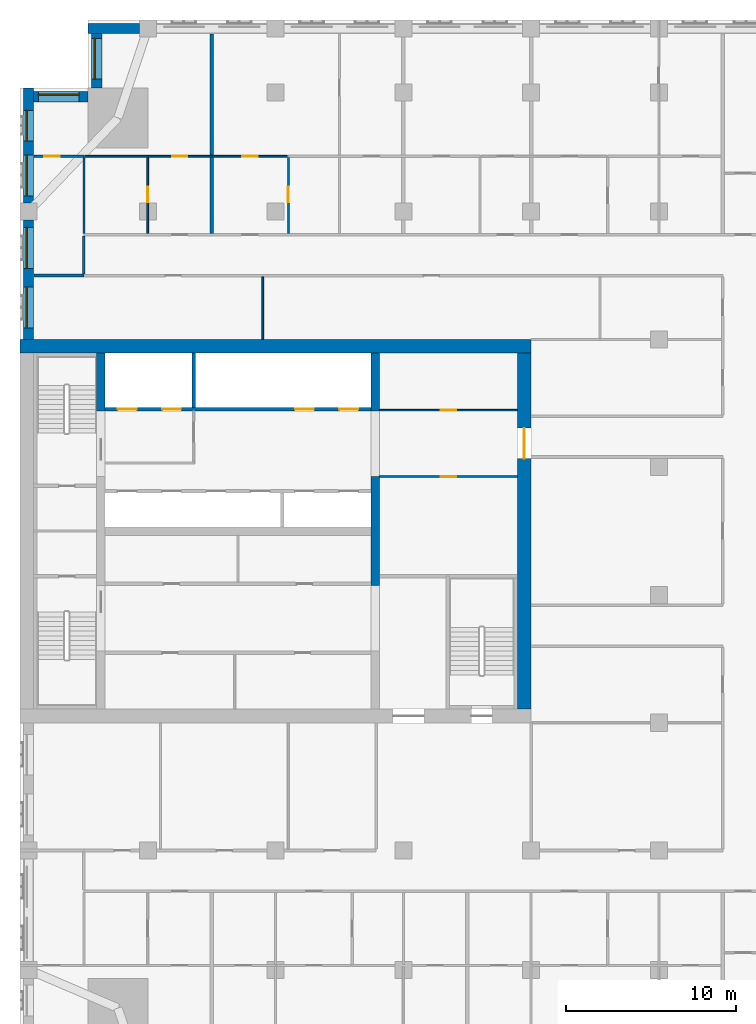
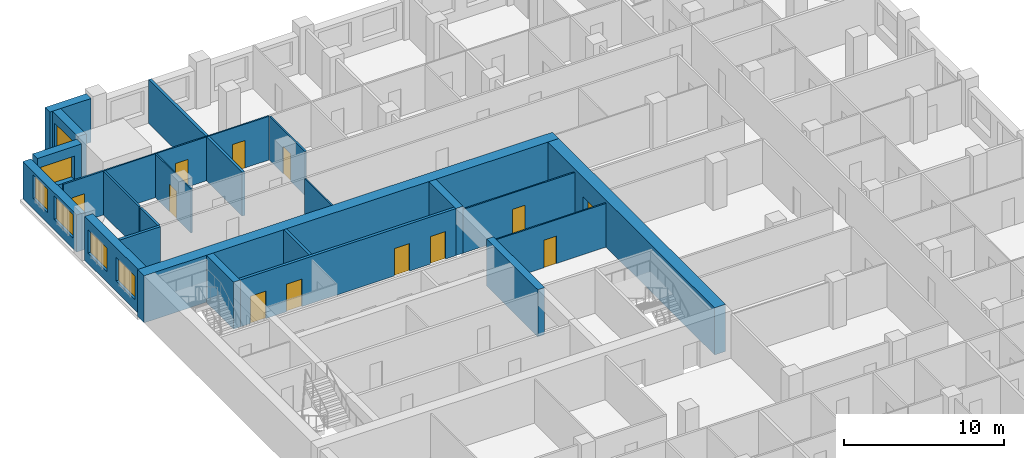
# One storey, part 8 of 13: 23 walls, 12 doors, 6 windows, 18 openings.
"""IFC4 building model written with IfcOpenShell, lengths in metres."""

import ifcopenshell
import ifcopenshell.guid

model = None  # the IFC model being written
_history = None  # IfcOwnerHistory: only IFC2X3 demands one
_inside = {}  # id of a spatial element -> (the spatial element, [elements in it])
_under = {}  # id of a project, library or spatial element -> (it, [spatial elements below it])
_declared = {}  # id of a project -> (the project, [libraries it declares])
_typed = {}  # id of a type object -> (the type object, [elements of that type])
_made_of = {}  # id of a material, layer set ... -> (it, [elements and type objects made of it])


def new_model(schema):
    """Start an empty IFC model of exactly this schema.

    Asked for "IFC4X3", IfcOpenShell would pick the latest addendum, in which some entities
    have other attributes; the version numbers below select the first issue.
    IFC2X3 requires an IfcOwnerHistory on every rooted entity: one is made here for all.
    """
    global model, _history
    if schema == "IFC4X3":
        model = ifcopenshell.file(schema_version=(4, 3, 0, 0))
    else:
        model = ifcopenshell.file(schema=schema)
    _inside.clear()
    _under.clear()
    _declared.clear()
    _typed.clear()
    _made_of.clear()
    _history = None
    if model.schema == "IFC2X3":
        org = make("IfcOrganization", Name="unknown")
        user = make(
            "IfcPersonAndOrganization",
            ThePerson=make("IfcPerson", FamilyName="unknown"),
            TheOrganization=org,
        )
        app = make(
            "IfcApplication",
            ApplicationDeveloper=org,
            Version="unknown",
            ApplicationFullName="unknown",
            ApplicationIdentifier="unknown",
        )
        _history = make(
            "IfcOwnerHistory",
            OwningUser=user,
            OwningApplication=app,
            ChangeAction="ADDED",
            CreationDate=0,
        )
    return model


def make(cls, **values):
    """One entity of the class cls with the attributes given. An attribute that is None is left unset."""
    return model.create_entity(
        cls, **{name: value for name, value in values.items() if value is not None}
    )


def rooted(cls, **values):
    """An entity with a GlobalId (a new one), such as an element, a storey or a relation."""
    return make(cls, GlobalId=ifcopenshell.guid.new(), OwnerHistory=_history, **values)


def si_unit(unit_type, name, prefix=None):
    """IfcSIUnit, for example si_unit("LENGTHUNIT", "METRE", prefix="MILLI")."""
    return make("IfcSIUnit", UnitType=unit_type, Prefix=prefix, Name=name)


def assignment(units):
    """IfcUnitAssignment: the units of a project."""
    return None if units is None else make("IfcUnitAssignment", Units=units)


def point(xyz):
    """IfcCartesianPoint."""
    return None if xyz is None else make("IfcCartesianPoint", Coordinates=xyz)


def direction(xyz):
    """IfcDirection."""
    return None if xyz is None else make("IfcDirection", DirectionRatios=xyz)


def frame(location, z_axis=None, x_axis=None):
    """IfcAxis2Placement3D, a coordinate frame: its origin and axes. An axis left out is left unset."""
    return make(
        "IfcAxis2Placement3D",
        Location=point(location),
        Axis=direction(z_axis),
        RefDirection=direction(x_axis),
    )


def frame_2d(location, x_axis=None):
    """IfcAxis2Placement2D, a coordinate frame in the plane: its origin and x axis."""
    return make(
        "IfcAxis2Placement2D", Location=point(location), RefDirection=direction(x_axis)
    )


def origin():
    """The frame at (0, 0, 0) with its axes left unset."""
    return frame((0.0, 0.0, 0.0))


def place(relative_to, where):
    """IfcLocalPlacement: puts the frame where relative to a parent placement (None: the world)."""
    return make(
        "IfcLocalPlacement", PlacementRelTo=relative_to, RelativePlacement=where
    )


def context(
    kind, dimensions, precision=None, world=None, true_north=None, identifier=None
):
    """IfcGeometricRepresentationContext, for example the 3D "Model" context."""
    return make(
        "IfcGeometricRepresentationContext",
        ContextIdentifier=identifier,
        ContextType=kind,
        CoordinateSpaceDimension=dimensions,
        Precision=precision,
        WorldCoordinateSystem=world,
        TrueNorth=true_north,
    )


def subcontext(parent, identifier, kind, view, scale=None):
    """IfcGeometricRepresentationSubContext, for example "Body" below "Model"."""
    return make(
        "IfcGeometricRepresentationSubContext",
        ContextIdentifier=identifier,
        ContextType=kind,
        ParentContext=parent,
        TargetScale=scale,
        TargetView=view,
    )


def project(units=None, contexts=None):
    """IfcProject with its units and contexts."""
    return rooted(
        "IfcProject",
        Name="project",
        RepresentationContexts=contexts,
        UnitsInContext=assignment(units),
    )


def spatial(cls, under=None, at=None, **own):
    """A site, building, storey or space (cls), placed at a placement, below another one or the project."""
    s = rooted(cls, ObjectPlacement=at, **own)
    if under is not None:
        _under.setdefault(under.id(), (under, []))[1].append(s)
    return s


def profile(cls, at=None, kind="AREA", **sizes):
    """A parametric profile (cls). Its sizes go by their IFC names, for example OverallWidth=200.0."""
    return make(cls, ProfileType=kind, Position=at, **sizes)


def rectangle(**sizes):
    """IfcRectangleProfileDef."""
    return profile("IfcRectangleProfileDef", **sizes)


def extrude(swept, where, along, depth):
    """IfcExtrudedAreaSolid: the profile swept, set in the frame where, extruded along a direction by depth."""
    return make(
        "IfcExtrudedAreaSolid",
        SweptArea=swept,
        Position=where,
        ExtrudedDirection=direction(along),
        Depth=depth,
    )


def shape(context_of_items, identifier, shape_type, items):
    """IfcShapeRepresentation: the items that make up one representation, for example the "Body"."""
    return make(
        "IfcShapeRepresentation",
        ContextOfItems=context_of_items,
        RepresentationIdentifier=identifier,
        RepresentationType=shape_type,
        Items=items,
    )


def material(Name=None, Category=None):
    """IfcMaterial."""
    return make("IfcMaterial", Name=Name, Category=Category)


def layer(
    of_material, thickness, ventilated=None, Name=None, Category=None, Priority=None
):
    """IfcMaterialLayer: one layer of a wall or slab, of a material (None: an air gap)."""
    return make(
        "IfcMaterialLayer",
        Material=of_material,
        LayerThickness=thickness,
        IsVentilated=ventilated,
        Name=Name,
        Category=Category,
        Priority=Priority,
    )


def layer_set(layers, Name=None):
    """IfcMaterialLayerSet."""
    return make("IfcMaterialLayerSet", MaterialLayers=layers, LayerSetName=Name)


def made_of(thing, what):
    """Note that an element or type object is made of a material, layer set ...; save() writes the relation."""
    if what is not None:
        _made_of.setdefault(what.id(), (what, []))[1].append(thing)
    return thing


def type_object(cls, material=None, **own):
    """A type object (cls), such as IfcWallType, which elements share."""
    return made_of(rooted(cls, **own), material)


def element(
    cls,
    number,
    at=None,
    inside=None,
    cuts=None,
    type_object=None,
    material=None,
    context=None,
    identifier="Body",
    shape_type=None,
    held_by="IfcProductDefinitionShape",
    body=None,
    shapes=None,
    **own,
):
    """One element of the class cls, such as IfcWall. Its Tag is "e" and its number.

    at: its placement. inside: the storey or other place that contains it. cuts: it is an
    opening in that element (IfcRelVoidsElement). A single representation is given by context,
    identifier, shape_type and body (its items); several are given by shapes. held_by: the class
    of the entity that holds the representations. save() writes the other relations.
    """
    e = rooted(cls, Tag="e%d" % number, ObjectPlacement=at, **own)
    if body is not None:
        shapes = [shape(context, identifier, shape_type, body)]
    if shapes is not None:
        e.Representation = make(held_by, Representations=shapes)
    if inside is not None:
        _inside.setdefault(inside.id(), (inside, []))[1].append(e)
    if cuts is not None:
        rooted(
            "IfcRelVoidsElement", RelatingBuildingElement=cuts, RelatedOpeningElement=e
        )
    if type_object is not None:
        _typed.setdefault(type_object.id(), (type_object, []))[1].append(e)
    return made_of(e, material)


def fill(opening, filler):
    """IfcRelFillsElement: the door or window that sits in an opening."""
    return rooted(
        "IfcRelFillsElement",
        RelatingOpeningElement=opening,
        RelatedBuildingElement=filler,
    )


def aggregate(whole, parts):
    """IfcRelAggregates: a whole, such as a stair, and the parts it consists of."""
    return rooted("IfcRelAggregates", RelatingObject=whole, RelatedObjects=parts)


def save(model, path):
    """Write the relations noted so far, then the file.

    IfcRelAggregates (storeys below a building ...), IfcRelContainedInSpatialStructure (elements
    in a storey), IfcRelDefinesByType, IfcRelAssociatesMaterial and IfcRelDeclares: one each for
    every whole, place, type object, material and project.
    """
    for whole, parts in _under.values():
        aggregate(whole, parts)
    for where, things in _inside.values():
        rooted(
            "IfcRelContainedInSpatialStructure",
            RelatedElements=things,
            RelatingStructure=where,
        )
    for kind, things in _typed.values():
        rooted("IfcRelDefinesByType", RelatedObjects=things, RelatingType=kind)
    for what, things in _made_of.values():
        rooted("IfcRelAssociatesMaterial", RelatedObjects=things, RelatingMaterial=what)
    for by, libraries in _declared.values():
        rooted("IfcRelDeclares", RelatingContext=by, RelatedDefinitions=libraries)
    model.write(path)


model = new_model("IFC4")

# Units and contexts
model_context = context("Model", 3, precision=1e-05, world=origin(), true_north=direction((0.0, 1.0)))
body_context = subcontext(model_context, "Body", "Model", "MODEL_VIEW")
ifc_project = project(units=[si_unit("LENGTHUNIT", "METRE"), si_unit("AREAUNIT", "SQUARE_METRE"), si_unit("VOLUMEUNIT", "CUBIC_METRE"), si_unit("PLANEANGLEUNIT", "RADIAN"), si_unit("MASSUNIT", "GRAM", prefix="KILO")], contexts=[model_context])

# Site, building, storey
site_placement = place(None, origin())
site = spatial("IfcSite", under=ifc_project, at=site_placement, CompositionType="ELEMENT")
building_placement = place(site_placement, origin())
building = spatial("IfcBuilding", under=site, at=building_placement, Name="Tamorin Gate", CompositionType="ELEMENT")
storey_placement = place(building_placement, frame((0.0, 0.0, 159.0)))
storey = spatial("IfcBuildingStorey", under=building, at=storey_placement, Name="L39", CompositionType="ELEMENT", Elevation=159.0)

# Wall
ifc_material_1 = material(Name="Precast concrete C40/50", Category="concrete")
ifc_layer_1 = layer(ifc_material_1, 0.60009765625)
ifc_layer_set_1 = layer_set([ifc_layer_1], Name="Precast concrete C40/50")
wall_type_1 = type_object("IfcWallType", Name="Board-marked concrete facade panel 600", PredefinedType="SOLIDWALL", material=ifc_layer_set_1)
wall_1_placement = place(storey_placement, frame((37.0, 100.75, 0.0), z_axis=(0.0, 0.0, 1.0), x_axis=(-1.0, 0.0, 0.0)))
element("IfcWall", 1, at=wall_1_placement, inside=storey, type_object=wall_type_1, Name="Facade panel", PredefinedType="SOLIDWALL", context=body_context, shape_type="SweptSolid", body=[
    extrude(rectangle(XDim=3.0, YDim=0.60009765625, at=frame_2d((1.5, 0.0))), origin(), (0.0, 0.0, 1.0), 3.35009765625),
])

# Wall, opening, window
wall_2_placement = place(storey_placement, frame((34.5, 100.449951171875, 0.0), z_axis=(0.0, 0.0, 1.0), x_axis=(0.0, -1.0, 0.0)))
wall_2 = element("IfcWall", 2, at=wall_2_placement, inside=storey, type_object=wall_type_1, Name="Facade panel", PredefinedType="SOLIDWALL", context=body_context, shape_type="SweptSolid", body=[
    extrude(rectangle(XDim=3.199951171875, YDim=0.60009765625, at=frame_2d((1.60009765625, 0.0))), origin(), (0.0, 0.0, 1.0), 3.35009765625),
])
opening_1_placement = place(wall_2_placement, frame((0.27490234375, 0.0, 0.800048828125)))
opening_1 = element("IfcOpeningElement", 3, at=opening_1_placement, cuts=wall_2, Name="Opening WN1", PredefinedType="OPENING", context=body_context, shape_type="SweptSolid", body=[
    extrude(rectangle(XDim=2.39990234375, YDim=1.800048828125, at=frame_2d((1.199951171875, 0.89990234375))), frame((0.0, 0.31005859375, 0.0), z_axis=(0.0, -1.0, 0.0), x_axis=(1.0, 0.0, 0.0)), (0.0, 0.0, 1.0), 0.6201171875),
])
ifc_material_2 = material(Name="Clear glass in aluminium frame", Category="aluminium")
window_type_1 = type_object("IfcWindowType", Name="Deep-set window 2400x1800", PartitioningType="SINGLE_PANEL", PredefinedType="WINDOW", material=ifc_material_2)
window_1_placement = place(opening_1_placement, origin())
window_1 = element("IfcWindow", 4, at=window_1_placement, inside=storey, type_object=window_type_1, Name="Deep-set window", OverallHeight=1.800048828125, OverallWidth=2.39990234375, PartitioningType="SINGLE_PANEL", PredefinedType="WINDOW", context=body_context, shape_type="SweptSolid", body=[
    extrude(rectangle(XDim=2.39990234375, YDim=1.800048828125, at=frame_2d((1.199951171875, 0.89990234375))), frame((0.0, -0.070068359375, 0.0), z_axis=(0.0, -1.0, 0.0), x_axis=(1.0, 0.0, 0.0)), (0.0, 0.0, 1.0), 0.06005859375),
])
fill(opening_1, window_1)

wall_3_placement = place(storey_placement, frame((34.0, 96.75, 0.0), z_axis=(0.0, 0.0, 1.0), x_axis=(-1.0, 0.0, 0.0)))
wall_3 = element("IfcWall", 5, at=wall_3_placement, inside=storey, type_object=wall_type_1, Name="Facade panel", PredefinedType="SOLIDWALL", context=body_context, shape_type="SweptSolid", body=[
    extrude(rectangle(XDim=3.199951171875, YDim=0.60009765625, at=frame_2d((1.60009765625, 0.0))), origin(), (0.0, 0.0, 1.0), 3.35009765625),
])
opening_2_placement = place(wall_3_placement, frame((0.52490234375, 0.0, 0.800048828125)))
opening_2 = element("IfcOpeningElement", 6, at=opening_2_placement, cuts=wall_3, Name="Opening WN1", PredefinedType="OPENING", context=body_context, shape_type="SweptSolid", body=[
    extrude(rectangle(XDim=2.39990234375, YDim=1.800048828125, at=frame_2d((1.199951171875, 0.89990234375))), frame((0.0, 0.31005859375, 0.0), z_axis=(0.0, -1.0, 0.0), x_axis=(1.0, 0.0, 0.0)), (0.0, 0.0, 1.0), 0.6201171875),
])
window_2_placement = place(opening_2_placement, origin())
window_2 = element("IfcWindow", 7, at=window_2_placement, inside=storey, type_object=window_type_1, Name="Deep-set window", OverallHeight=1.800048828125, OverallWidth=2.39990234375, PartitioningType="SINGLE_PANEL", PredefinedType="WINDOW", context=body_context, shape_type="SweptSolid", body=[
    extrude(rectangle(XDim=2.39990234375, YDim=1.800048828125, at=frame_2d((1.199951171875, 0.89990234375))), frame((0.0, -0.070068359375, 0.0), z_axis=(0.0, -1.0, 0.0), x_axis=(1.0, 0.0, 0.0)), (0.0, 0.0, 1.0), 0.06005859375),
])
fill(opening_2, window_2)

# Wall, openings, windows
wall_4_placement = place(storey_placement, frame((30.5, 97.25, 0.0), z_axis=(0.0, 0.0, 1.0), x_axis=(0.0, -1.0, 0.0)))
wall_4 = element("IfcWall", 8, at=wall_4_placement, inside=storey, type_object=wall_type_1, Name="Facade panel", PredefinedType="SOLIDWALL", context=body_context, shape_type="SweptSolid", body=[
    extrude(rectangle(XDim=6.75, YDim=0.60009765625, at=frame_2d((3.375, 0.0))), origin(), (0.0, 0.0, 1.0), 2.85009765625),
])
opening_3_placement = place(wall_4_placement, frame((3.925048828125, 0.0, 0.800048828125)))
opening_3 = element("IfcOpeningElement", 9, at=opening_3_placement, cuts=wall_4, Name="Opening WN1", PredefinedType="OPENING", context=body_context, shape_type="SweptSolid", body=[
    extrude(rectangle(XDim=2.39990234375, YDim=1.800048828125, at=frame_2d((1.199951171875, 0.89990234375))), frame((0.0, 0.31005859375, 0.0), z_axis=(0.0, -1.0, 0.0), x_axis=(1.0, 0.0, 0.0)), (0.0, 0.0, 1.0), 0.6201171875),
])
opening_4_placement = place(wall_4_placement, frame((1.300048828125, 0.0, 0.800048828125)))
opening_4 = element("IfcOpeningElement", 10, at=opening_4_placement, cuts=wall_4, Name="Opening WN2", PredefinedType="OPENING", context=body_context, shape_type="SweptSolid", body=[
    extrude(rectangle(XDim=1.800048828125, YDim=1.800048828125, at=frame_2d((0.89990234375, 0.89990234375))), frame((0.0, 0.31005859375, 0.0), z_axis=(0.0, -1.0, 0.0), x_axis=(1.0, 0.0, 0.0)), (0.0, 0.0, 1.0), 0.6201171875),
])
window_type_2 = type_object("IfcWindowType", Name="Deep-set window 1800x1800", PartitioningType="SINGLE_PANEL", PredefinedType="WINDOW", material=ifc_material_2)
window_3_placement = place(opening_4_placement, origin())
window_3 = element("IfcWindow", 11, at=window_3_placement, inside=storey, type_object=window_type_2, Name="Deep-set window", OverallHeight=1.800048828125, OverallWidth=1.800048828125, PartitioningType="SINGLE_PANEL", PredefinedType="WINDOW", context=body_context, shape_type="SweptSolid", body=[
    extrude(rectangle(XDim=1.800048828125, YDim=1.800048828125, at=frame_2d((0.89990234375, 0.89990234375))), frame((0.0, -0.070068359375, 0.0), z_axis=(0.0, -1.0, 0.0), x_axis=(1.0, 0.0, 0.0)), (0.0, 0.0, 1.0), 0.06005859375),
])
fill(opening_4, window_3)
window_4_placement = place(opening_3_placement, origin())
window_4 = element("IfcWindow", 12, at=window_4_placement, inside=storey, type_object=window_type_1, Name="Deep-set window", OverallHeight=1.800048828125, OverallWidth=2.39990234375, PartitioningType="SINGLE_PANEL", PredefinedType="WINDOW", context=body_context, shape_type="SweptSolid", body=[
    extrude(rectangle(XDim=2.39990234375, YDim=1.800048828125, at=frame_2d((1.199951171875, 0.89990234375))), frame((0.0, -0.070068359375, 0.0), z_axis=(0.0, -1.0, 0.0), x_axis=(1.0, 0.0, 0.0)), (0.0, 0.0, 1.0), 0.06005859375),
])
fill(opening_3, window_4)

wall_5_placement = place(storey_placement, frame((30.5, 89.5, 0.0), z_axis=(0.0, 0.0, 1.0), x_axis=(0.0, -1.0, 0.0)))
wall_5 = element("IfcWall", 13, at=wall_5_placement, inside=storey, type_object=wall_type_1, Name="Facade panel", PredefinedType="SOLIDWALL", context=body_context, shape_type="SweptSolid", body=[
    extrude(rectangle(XDim=7.0, YDim=0.60009765625, at=frame_2d((3.5, 0.0))), origin(), (0.0, 0.0, 1.0), 3.35009765625),
])
opening_5_placement = place(wall_5_placement, frame((3.925048828125, 0.0, 0.800048828125)))
opening_5 = element("IfcOpeningElement", 14, at=opening_5_placement, cuts=wall_5, Name="Opening WN1", PredefinedType="OPENING", context=body_context, shape_type="SweptSolid", body=[
    extrude(rectangle(XDim=2.39990234375, YDim=1.800048828125, at=frame_2d((1.199951171875, 0.89990234375))), frame((0.0, 0.31005859375, 0.0), z_axis=(0.0, -1.0, 0.0), x_axis=(1.0, 0.0, 0.0)), (0.0, 0.0, 1.0), 0.6201171875),
])
opening_6_placement = place(wall_5_placement, frame((0.425048828125, 0.0, 0.800048828125)))
opening_6 = element("IfcOpeningElement", 15, at=opening_6_placement, cuts=wall_5, Name="Opening WN1", PredefinedType="OPENING", context=body_context, shape_type="SweptSolid", body=[
    extrude(rectangle(XDim=2.39990234375, YDim=1.800048828125, at=frame_2d((1.199951171875, 0.89990234375))), frame((0.0, 0.31005859375, 0.0), z_axis=(0.0, -1.0, 0.0), x_axis=(1.0, 0.0, 0.0)), (0.0, 0.0, 1.0), 0.6201171875),
])
window_5_placement = place(opening_5_placement, origin())
window_5 = element("IfcWindow", 16, at=window_5_placement, inside=storey, type_object=window_type_1, Name="Deep-set window", OverallHeight=1.800048828125, OverallWidth=2.39990234375, PartitioningType="SINGLE_PANEL", PredefinedType="WINDOW", context=body_context, shape_type="SweptSolid", body=[
    extrude(rectangle(XDim=2.39990234375, YDim=1.800048828125, at=frame_2d((1.199951171875, 0.89990234375))), frame((0.0, -0.070068359375, 0.0), z_axis=(0.0, -1.0, 0.0), x_axis=(1.0, 0.0, 0.0)), (0.0, 0.0, 1.0), 0.06005859375),
])
fill(opening_5, window_5)
window_6_placement = place(opening_6_placement, origin())
window_6 = element("IfcWindow", 17, at=window_6_placement, inside=storey, type_object=window_type_1, Name="Deep-set window", OverallHeight=1.800048828125, OverallWidth=2.39990234375, PartitioningType="SINGLE_PANEL", PredefinedType="WINDOW", context=body_context, shape_type="SweptSolid", body=[
    extrude(rectangle(XDim=2.39990234375, YDim=1.800048828125, at=frame_2d((1.199951171875, 0.89990234375))), frame((0.0, -0.070068359375, 0.0), z_axis=(0.0, -1.0, 0.0), x_axis=(1.0, 0.0, 0.0)), (0.0, 0.0, 1.0), 0.06005859375),
])
fill(opening_6, window_6)

# Walls
ifc_material_3 = material(Name="Gypsum board partition")
ifc_layer_2 = layer(ifc_material_3, 0.14990234375)
ifc_layer_set_2 = layer_set([ifc_layer_2], Name="Corridor wall 150")
wall_type_2 = type_object("IfcWallType", Name="Corridor wall 150", PredefinedType="PARTITIONING", material=ifc_layer_set_2)
wall_6_placement = place(storey_placement, frame((33.75, 86.35009765625, 0.0), z_axis=(0.0, 0.0, 1.0), x_axis=(0.0, 1.0, 0.0)))
element("IfcWall", 18, at=wall_6_placement, inside=storey, type_object=wall_type_2, Name="Corridor wall 150", PredefinedType="PARTITIONING", context=body_context, shape_type="SweptSolid", body=[
    extrude(rectangle(XDim=2.224853515625, YDim=0.14990234375, at=frame_2d((1.1123046875, 0.0))), origin(), (0.0, 0.0, 1.0), 3.35009765625),
])
ifc_layer_3 = layer(ifc_material_3, 0.199951171875)
ifc_layer_set_3 = layer_set([ifc_layer_3], Name="Demising wall 200")
wall_type_3 = type_object("IfcWallType", Name="Demising wall 200", PredefinedType="PARTITIONING", material=ifc_layer_set_3)
wall_7_placement = place(storey_placement, frame((30.81005859375, 86.25, 0.0), z_axis=(0.0, 0.0, 1.0), x_axis=(1.0, 0.0, 0.0)))
element("IfcWall", 19, at=wall_7_placement, inside=storey, type_object=wall_type_3, Name="Demising wall 200", PredefinedType="PARTITIONING", context=body_context, shape_type="SweptSolid", body=[
    extrude(rectangle(XDim=2.93994140625, YDim=0.199951171875, at=frame_2d((1.469970703125, 0.0))), origin(), (0.0, 0.0, 1.0), 3.35009765625),
])
wall_8_placement = place(storey_placement, frame((41.25, 88.72509765625, 0.0), z_axis=(0.0, 0.0, 1.0), x_axis=(0.0, 1.0, 0.0)))
element("IfcWall", 20, at=wall_8_placement, inside=storey, type_object=wall_type_3, Name="Demising wall 200", PredefinedType="PARTITIONING", context=body_context, shape_type="SweptSolid", body=[
    extrude(rectangle(XDim=11.71484375, YDim=0.199951171875, at=frame_2d((5.857421875, 0.0))), origin(), (0.0, 0.0, 1.0), 3.35009765625),
])

# Wall, openings, doors
ifc_material_4 = material(Name="Concrete C32/40", Category="concrete")
ifc_layer_4 = layer(ifc_material_4, 0.199951171875)
ifc_layer_set_4 = layer_set([ifc_layer_4], Name="Lift lobby face wall 200 EI 120")
wall_type_4 = type_object("IfcWallType", Name="Lift lobby face wall 200 EI 120", PredefinedType="SOLIDWALL", material=ifc_layer_set_4)
wall_9_placement = place(storey_placement, frame((35.0, 78.39990234375, 0.0), z_axis=(0.0, 0.0, 1.0), x_axis=(1.0, 0.0, 0.0)))
wall_9 = element("IfcWall", 21, at=wall_9_placement, inside=storey, type_object=wall_type_4, Name="Lift lobby face wall", PredefinedType="SOLIDWALL", context=body_context, shape_type="SweptSolid", body=[
    extrude(rectangle(XDim=15.60009765625, YDim=0.199951171875, at=frame_2d((7.800048828125, 0.0))), origin(), (0.0, 0.0, 1.0), 3.60009765625),
])
opening_7_placement = place(wall_9_placement, frame((0.75, 0.0, 0.0)))
opening_7 = element("IfcOpeningElement", 22, at=opening_7_placement, cuts=wall_9, Name="Opening LD17", PredefinedType="OPENING", context=body_context, shape_type="SweptSolid", body=[
    extrude(rectangle(XDim=1.10009765625, YDim=2.10009765625, at=frame_2d((0.550048828125, 1.050048828125))), frame((0.0, 0.10986328125, 0.0), z_axis=(0.0, -1.0, 0.0), x_axis=(1.0, 0.0, 0.0)), (0.0, 0.0, 1.0), 0.219970703125),
])
opening_8_placement = place(wall_9_placement, frame((3.35009765625, 0.0, 0.0)))
opening_8 = element("IfcOpeningElement", 23, at=opening_8_placement, cuts=wall_9, Name="Opening LD18", PredefinedType="OPENING", context=body_context, shape_type="SweptSolid", body=[
    extrude(rectangle(XDim=1.10009765625, YDim=2.10009765625, at=frame_2d((0.550048828125, 1.050048828125))), frame((0.0, 0.10986328125, 0.0), z_axis=(0.0, -1.0, 0.0), x_axis=(1.0, 0.0, 0.0)), (0.0, 0.0, 1.0), 0.219970703125),
])
opening_9_placement = place(wall_9_placement, frame((11.14990234375, 0.0, 0.0)))
opening_9 = element("IfcOpeningElement", 24, at=opening_9_placement, cuts=wall_9, Name="Opening LD21", PredefinedType="OPENING", context=body_context, shape_type="SweptSolid", body=[
    extrude(rectangle(XDim=1.10009765625, YDim=2.10009765625, at=frame_2d((0.550048828125, 1.050048828125))), frame((0.0, 0.10986328125, 0.0), z_axis=(0.0, -1.0, 0.0), x_axis=(1.0, 0.0, 0.0)), (0.0, 0.0, 1.0), 0.219970703125),
])
opening_10_placement = place(wall_9_placement, frame((13.75, 0.0, 0.0)))
opening_10 = element("IfcOpeningElement", 25, at=opening_10_placement, cuts=wall_9, Name="Opening LD22", PredefinedType="OPENING", context=body_context, shape_type="SweptSolid", body=[
    extrude(rectangle(XDim=1.10009765625, YDim=2.10009765625, at=frame_2d((0.550048828125, 1.050048828125))), frame((0.0, 0.10986328125, 0.0), z_axis=(0.0, -1.0, 0.0), x_axis=(1.0, 0.0, 0.0)), (0.0, 0.0, 1.0), 0.219970703125),
])
ifc_material_5 = material(Name="Stainless steel sliding door", Category="steel")
door_type_1 = type_object("IfcDoorType", Name="Lift landing door 1100 x 2100 E 90", OperationType="DOUBLE_DOOR_SLIDING", PredefinedType="DOOR", material=ifc_material_5)
door_1_placement = place(opening_7_placement, origin())
door_1 = element("IfcDoor", 26, at=door_1_placement, inside=storey, type_object=door_type_1, Name="FF1 landing door", OperationType="DOUBLE_DOOR_SLIDING", OverallHeight=2.10009765625, OverallWidth=1.10009765625, PredefinedType="DOOR", context=body_context, shape_type="SweptSolid", body=[
    extrude(rectangle(XDim=1.10009765625, YDim=2.10009765625, at=frame_2d((0.550048828125, 1.050048828125))), frame((0.0, 0.02490234375, 0.0), z_axis=(0.0, -1.0, 0.0), x_axis=(1.0, 0.0, 0.0)), (0.0, 0.0, 1.0), 0.050048828125),
])
fill(opening_7, door_1)
door_2_placement = place(opening_8_placement, origin())
door_2 = element("IfcDoor", 27, at=door_2_placement, inside=storey, type_object=door_type_1, Name="FF2 landing door", OperationType="DOUBLE_DOOR_SLIDING", OverallHeight=2.10009765625, OverallWidth=1.10009765625, PredefinedType="DOOR", context=body_context, shape_type="SweptSolid", body=[
    extrude(rectangle(XDim=1.10009765625, YDim=2.10009765625, at=frame_2d((0.550048828125, 1.050048828125))), frame((0.0, 0.02490234375, 0.0), z_axis=(0.0, -1.0, 0.0), x_axis=(1.0, 0.0, 0.0)), (0.0, 0.0, 1.0), 0.050048828125),
])
fill(opening_8, door_2)
door_3_placement = place(opening_9_placement, origin())
door_3 = element("IfcDoor", 28, at=door_3_placement, inside=storey, type_object=door_type_1, Name="SV1 landing door", OperationType="DOUBLE_DOOR_SLIDING", OverallHeight=2.10009765625, OverallWidth=1.10009765625, PredefinedType="DOOR", context=body_context, shape_type="SweptSolid", body=[
    extrude(rectangle(XDim=1.10009765625, YDim=2.10009765625, at=frame_2d((0.550048828125, 1.050048828125))), frame((0.0, 0.02490234375, 0.0), z_axis=(0.0, -1.0, 0.0), x_axis=(1.0, 0.0, 0.0)), (0.0, 0.0, 1.0), 0.050048828125),
])
fill(opening_9, door_3)
door_4_placement = place(opening_10_placement, origin())
door_4 = element("IfcDoor", 29, at=door_4_placement, inside=storey, type_object=door_type_1, Name="SV2 landing door", OperationType="DOUBLE_DOOR_SLIDING", OverallHeight=2.10009765625, OverallWidth=1.10009765625, PredefinedType="DOOR", context=body_context, shape_type="SweptSolid", body=[
    extrude(rectangle(XDim=1.10009765625, YDim=2.10009765625, at=frame_2d((0.550048828125, 1.050048828125))), frame((0.0, 0.02490234375, 0.0), z_axis=(0.0, -1.0, 0.0), x_axis=(1.0, 0.0, 0.0)), (0.0, 0.0, 1.0), 0.050048828125),
])
fill(opening_10, door_4)

# Walls
ifc_layer_5 = layer(ifc_material_4, 0.199951171875)
ifc_layer_set_5 = layer_set([ifc_layer_5], Name="Lift shaft wall 200 EI 120")
wall_type_5 = type_object("IfcWallType", Name="Lift shaft wall 200 EI 120", PredefinedType="SOLIDWALL", material=ifc_layer_set_5)
wall_10_placement = place(storey_placement, frame((40.199951171875, 78.5, 0.0), z_axis=(0.0, 0.0, 1.0), x_axis=(0.0, 1.0, 0.0)))
element("IfcWall", 30, at=wall_10_placement, inside=storey, type_object=wall_type_5, Name="Lift shaft wall", PredefinedType="SOLIDWALL", context=body_context, shape_type="SweptSolid", body=[
    extrude(rectangle(XDim=3.199951171875, YDim=0.199951171875, at=frame_2d((1.60009765625, 0.0))), origin(), (0.0, 0.0, 1.0), 3.60009765625),
])
ifc_material_6 = material(Name="Concrete C60/75", Category="concrete")
ifc_layer_6 = layer(ifc_material_6, 0.5)
ifc_layer_set_6 = layer_set([ifc_layer_6], Name="RC core internal wall 500 C60/75")
wall_type_6 = type_object("IfcWallType", Name="RC core internal wall 500 C60/75", PredefinedType="SHEAR", material=ifc_layer_set_6)
wall_11_placement = place(storey_placement, frame((34.75, 78.300048828125, 0.0), z_axis=(0.0, 0.0, 1.0), x_axis=(0.0, 1.0, 0.0)))
element("IfcWall", 31, at=wall_11_placement, inside=storey, type_object=wall_type_6, Name="Core cross wall L39", PredefinedType="SHEAR", context=body_context, shape_type="SweptSolid", body=[
    extrude(rectangle(XDim=3.39990234375, YDim=0.5, at=frame_2d((1.699951171875, 0.0))), origin(), (0.0, 0.0, 1.0), 3.60009765625),
])
wall_12_placement = place(storey_placement, frame((50.85009765625, 68.050048828125, 0.0), z_axis=(0.0, 0.0, 1.0), x_axis=(0.0, 1.0, 0.0)))
element("IfcWall", 32, at=wall_12_placement, inside=storey, type_object=wall_type_6, Name="Core cross wall L39", PredefinedType="SHEAR", context=body_context, shape_type="SweptSolid", body=[
    extrude(rectangle(XDim=6.39990234375, YDim=0.5, at=frame_2d((3.199951171875, 0.0))), origin(), (0.0, 0.0, 1.0), 3.60009765625),
])
wall_13_placement = place(storey_placement, frame((50.85009765625, 78.300048828125, 0.0), z_axis=(0.0, 0.0, 1.0), x_axis=(0.0, 1.0, 0.0)))
element("IfcWall", 33, at=wall_13_placement, inside=storey, type_object=wall_type_6, Name="Core cross wall L39", PredefinedType="SHEAR", context=body_context, shape_type="SweptSolid", body=[
    extrude(rectangle(XDim=3.39990234375, YDim=0.5, at=frame_2d((1.699951171875, 0.0))), origin(), (0.0, 0.0, 1.0), 3.60009765625),
])
ifc_layer_7 = layer(ifc_material_6, 0.800048828125)
ifc_layer_set_7 = layer_set([ifc_layer_7], Name="RC core wall 800 C60/75")
wall_type_7 = type_object("IfcWallType", Name="RC core wall 800 C60/75", PredefinedType="SHEAR", material=ifc_layer_set_7)
wall_14_placement = place(storey_placement, frame((30.0, 82.10009765625, 0.0), z_axis=(0.0, 0.0, 1.0), x_axis=(1.0, 0.0, 0.0)))
element("IfcWall", 34, at=wall_14_placement, inside=storey, type_object=wall_type_7, Name="Core wall L39", PredefinedType="SHEAR", context=body_context, shape_type="SweptSolid", body=[
    extrude(rectangle(XDim=30.0, YDim=0.800048828125, at=frame_2d((15.0, 0.0))), origin(), (0.0, 0.0, 1.0), 3.60009765625),
])

# Wall, opening, door
wall_15_placement = place(storey_placement, frame((59.60009765625, 60.800048828125, 0.0), z_axis=(0.0, 0.0, 1.0), x_axis=(0.0, 1.0, 0.0)))
wall_15 = element("IfcWall", 35, at=wall_15_placement, inside=storey, type_object=wall_type_7, Name="Core wall L39", PredefinedType="SHEAR", context=body_context, shape_type="SweptSolid", body=[
    extrude(rectangle(XDim=20.89990234375, YDim=0.800048828125, at=frame_2d((10.449951171875, 0.0))), origin(), (0.0, 0.0, 1.0), 3.60009765625),
])
opening_11_placement = place(wall_15_placement, frame((14.699951171875, 0.0, 0.0)))
opening_11 = element("IfcOpeningElement", 36, at=opening_11_placement, cuts=wall_15, Name="Opening DE1", PredefinedType="OPENING", context=body_context, shape_type="SweptSolid", body=[
    extrude(rectangle(XDim=1.800048828125, YDim=2.10009765625, at=frame_2d((0.89990234375, 1.050048828125))), frame((0.0, 0.409912109375, 0.0), z_axis=(0.0, -1.0, 0.0), x_axis=(1.0, 0.0, 0.0)), (0.0, 0.0, 1.0), 0.820068359375),
])
ifc_material_7 = material(Name="Steel fire door", Category="steel")
door_type_2 = type_object("IfcDoorType", Name="Lobby exit double door 1800 x 2100 EI 60", OperationType="DOUBLE_DOOR_SINGLE_SWING", PredefinedType="DOOR", material=ifc_material_7)
door_5_placement = place(opening_11_placement, origin())
door_5 = element("IfcDoor", 37, at=door_5_placement, inside=storey, type_object=door_type_2, Name="Lift lobby B exit door", OperationType="DOUBLE_DOOR_SINGLE_SWING", OverallHeight=2.10009765625, OverallWidth=1.800048828125, PredefinedType="DOOR", context=body_context, shape_type="SweptSolid", body=[
    extrude(rectangle(XDim=1.800048828125, YDim=2.10009765625, at=frame_2d((0.89990234375, 1.050048828125))), frame((0.0, 0.02490234375, 0.0), z_axis=(0.0, -1.0, 0.0), x_axis=(1.0, 0.0, 0.0)), (0.0, 0.0, 1.0), 0.050048828125),
])
fill(opening_11, door_5)

# Wall, openings, doors
ifc_layer_8 = layer(ifc_material_3, 0.10009765625)
ifc_layer_set_8 = layer_set([ifc_layer_8], Name="Room partition 100")
wall_type_8 = type_object("IfcWallType", Name="Room partition 100", PredefinedType="PARTITIONING", material=ifc_layer_set_8)
wall_16_placement = place(storey_placement, frame((33.8125, 93.25, 0.0), z_axis=(0.0, 0.0, 1.0), x_axis=(1.0, 0.0, 0.0)))
wall_16 = element("IfcWall", 38, at=wall_16_placement, inside=storey, type_object=wall_type_8, Name="Room partition 100", PredefinedType="PARTITIONING", context=body_context, shape_type="SweptSolid", body=[
    extrude(rectangle(XDim=11.875, YDim=0.10009765625, at=frame_2d((5.9375, 0.0))), origin(), (0.0, 0.0, 1.0), 3.35009765625),
])
opening_12_placement = place(wall_16_placement, frame((5.112548828125, 0.0, 0.0)))
opening_12 = element("IfcOpeningElement", 39, at=opening_12_placement, cuts=wall_16, Name="Opening DS1022", PredefinedType="OPENING", context=body_context, shape_type="SweptSolid", body=[
    extrude(rectangle(XDim=0.89990234375, YDim=2.10009765625, at=frame_2d((0.449951171875, 1.050048828125))), frame((0.0, 0.06005859375, 0.0), z_axis=(0.0, -1.0, 0.0), x_axis=(1.0, 0.0, 0.0)), (0.0, 0.0, 1.0), 0.1201171875),
])
opening_13_placement = place(wall_16_placement, frame((9.237548828125, 0.0, 0.0)))
opening_13 = element("IfcOpeningElement", 40, at=opening_13_placement, cuts=wall_16, Name="Opening DS1024", PredefinedType="OPENING", context=body_context, shape_type="SweptSolid", body=[
    extrude(rectangle(XDim=0.89990234375, YDim=2.10009765625, at=frame_2d((0.449951171875, 1.050048828125))), frame((0.0, 0.06005859375, 0.0), z_axis=(0.0, -1.0, 0.0), x_axis=(1.0, 0.0, 0.0)), (0.0, 0.0, 1.0), 0.1201171875),
])
ifc_material_8 = material(Name="Timber door leaf", Category="wood")
door_type_3 = type_object("IfcDoorType", Name="Door 900 x 2100", OperationType="NOTDEFINED", PredefinedType="DOOR", material=ifc_material_8)
door_6_placement = place(opening_12_placement, origin())
door_6 = element("IfcDoor", 41, at=door_6_placement, inside=storey, type_object=door_type_3, Name="Door DS1022", OperationType="SINGLE_SWING_RIGHT", OverallHeight=2.10009765625, OverallWidth=0.89990234375, PredefinedType="DOOR", context=body_context, shape_type="SweptSolid", body=[
    extrude(rectangle(XDim=0.89990234375, YDim=2.10009765625, at=frame_2d((0.449951171875, 1.050048828125))), frame((0.0, 0.02490234375, 0.0), z_axis=(0.0, -1.0, 0.0), x_axis=(1.0, 0.0, 0.0)), (0.0, 0.0, 1.0), 0.050048828125),
])
fill(opening_12, door_6)
door_7_placement = place(opening_13_placement, origin())
door_7 = element("IfcDoor", 42, at=door_7_placement, inside=storey, type_object=door_type_3, Name="Door DS1024", OperationType="SINGLE_SWING_RIGHT", OverallHeight=2.10009765625, OverallWidth=0.89990234375, PredefinedType="DOOR", context=body_context, shape_type="SweptSolid", body=[
    extrude(rectangle(XDim=0.89990234375, YDim=2.10009765625, at=frame_2d((0.449951171875, 1.050048828125))), frame((0.0, 0.02490234375, 0.0), z_axis=(0.0, -1.0, 0.0), x_axis=(1.0, 0.0, 0.0)), (0.0, 0.0, 1.0), 0.050048828125),
])
fill(opening_13, door_7)

# Wall, opening, door
wall_17_placement = place(storey_placement, frame((37.5, 88.72509765625, 0.0), z_axis=(0.0, 0.0, 1.0), x_axis=(0.0, 1.0, 0.0)))
wall_17 = element("IfcWall", 43, at=wall_17_placement, inside=storey, type_object=wall_type_8, Name="Room partition 100", PredefinedType="PARTITIONING", context=body_context, shape_type="SweptSolid", body=[
    extrude(rectangle(XDim=4.474853515625, YDim=0.10009765625, at=frame_2d((2.2373046875, 0.0))), origin(), (0.0, 0.0, 1.0), 3.35009765625),
])
opening_14_placement = place(wall_17_placement, frame((1.824951171875, 0.0, 0.0)))
opening_14 = element("IfcOpeningElement", 44, at=opening_14_placement, cuts=wall_17, Name="Opening DS1020", PredefinedType="OPENING", context=body_context, shape_type="SweptSolid", body=[
    extrude(rectangle(XDim=0.89990234375, YDim=2.10009765625, at=frame_2d((0.449951171875, 1.050048828125))), frame((0.0, 0.06005859375, 0.0), z_axis=(0.0, -1.0, 0.0), x_axis=(1.0, 0.0, 0.0)), (0.0, 0.0, 1.0), 0.1201171875),
])
door_8_placement = place(opening_14_placement, origin())
door_8 = element("IfcDoor", 45, at=door_8_placement, inside=storey, type_object=door_type_3, Name="Door DS1020", OperationType="SINGLE_SWING_RIGHT", OverallHeight=2.10009765625, OverallWidth=0.89990234375, PredefinedType="DOOR", context=body_context, shape_type="SweptSolid", body=[
    extrude(rectangle(XDim=0.89990234375, YDim=2.10009765625, at=frame_2d((0.449951171875, 1.050048828125))), frame((0.0, 0.02490234375, 0.0), z_axis=(0.0, -1.0, 0.0), x_axis=(1.0, 0.0, 0.0)), (0.0, 0.0, 1.0), 0.050048828125),
])
fill(opening_14, door_8)

# Wall
wall_18_placement = place(storey_placement, frame((44.25, 82.5, 0.0), z_axis=(0.0, 0.0, 1.0), x_axis=(0.0, 1.0, 0.0)))
element("IfcWall", 46, at=wall_18_placement, inside=storey, type_object=wall_type_8, Name="Room partition 100", PredefinedType="PARTITIONING", context=body_context, shape_type="SweptSolid", body=[
    extrude(rectangle(XDim=3.675048828125, YDim=0.10009765625, at=frame_2d((1.83740234375, 0.0))), origin(), (0.0, 0.0, 1.0), 3.35009765625),
])

# Wall, opening, door
ifc_layer_9 = layer(ifc_material_3, 0.10009765625)
ifc_layer_set_9 = layer_set([ifc_layer_9], Name="Service room partition 100 EI 60")
wall_type_9 = type_object("IfcWallType", Name="Service room partition 100 EI 60", PredefinedType="PARTITIONING", material=ifc_layer_set_9)
wall_19_placement = place(storey_placement, frame((51.10009765625, 74.449951171875, 0.0), z_axis=(0.0, 0.0, 1.0), x_axis=(1.0, 0.0, 0.0)))
wall_19 = element("IfcWall", 47, at=wall_19_placement, inside=storey, type_object=wall_type_9, Name="Service room wall", PredefinedType="PARTITIONING", context=body_context, shape_type="SweptSolid", body=[
    extrude(rectangle(XDim=8.099853515625, YDim=0.10009765625, at=frame_2d((4.0498046875, 0.0))), origin(), (0.0, 0.0, 1.0), 3.35009765625),
])
opening_15_placement = place(wall_19_placement, frame((3.60009765625, 0.0, 0.0)))
opening_15 = element("IfcOpeningElement", 48, at=opening_15_placement, cuts=wall_19, Name="Opening DR1", PredefinedType="OPENING", context=body_context, shape_type="SweptSolid", body=[
    extrude(rectangle(XDim=0.89990234375, YDim=2.10009765625, at=frame_2d((0.449951171875, 1.050048828125))), frame((0.0, 0.06005859375, 0.0), z_axis=(0.0, -1.0, 0.0), x_axis=(1.0, 0.0, 0.0)), (0.0, 0.0, 1.0), 0.1201171875),
])
door_type_4 = type_object("IfcDoorType", Name="Riser access door 900 x 2100 EI 120", OperationType="SINGLE_SWING_LEFT", PredefinedType="DOOR", material=ifc_material_7)
door_9_placement = place(opening_15_placement, origin())
door_9 = element("IfcDoor", 49, at=door_9_placement, inside=storey, type_object=door_type_4, Name="Duct riser door", OperationType="SINGLE_SWING_LEFT", OverallHeight=2.10009765625, OverallWidth=0.89990234375, PredefinedType="DOOR", context=body_context, shape_type="SweptSolid", body=[
    extrude(rectangle(XDim=0.89990234375, YDim=2.10009765625, at=frame_2d((0.449951171875, 1.050048828125))), frame((0.0, 0.02490234375, 0.0), z_axis=(0.0, -1.0, 0.0), x_axis=(1.0, 0.0, 0.0)), (0.0, 0.0, 1.0), 0.050048828125),
])
fill(opening_15, door_9)

wall_20_placement = place(storey_placement, frame((51.10009765625, 78.35009765625, 0.0), z_axis=(0.0, 0.0, 1.0), x_axis=(1.0, 0.0, 0.0)))
wall_20 = element("IfcWall", 50, at=wall_20_placement, inside=storey, type_object=wall_type_9, Name="Service room wall", PredefinedType="PARTITIONING", context=body_context, shape_type="SweptSolid", body=[
    extrude(rectangle(XDim=8.099853515625, YDim=0.10009765625, at=frame_2d((4.0498046875, 0.0))), origin(), (0.0, 0.0, 1.0), 3.35009765625),
])
opening_16_placement = place(wall_20_placement, frame((3.60009765625, 0.0, 0.0)))
opening_16 = element("IfcOpeningElement", 51, at=opening_16_placement, cuts=wall_20, Name="Opening DK1", PredefinedType="OPENING", context=body_context, shape_type="SweptSolid", body=[
    extrude(rectangle(XDim=0.89990234375, YDim=2.10009765625, at=frame_2d((0.449951171875, 1.050048828125))), frame((0.0, 0.06005859375, 0.0), z_axis=(0.0, -1.0, 0.0), x_axis=(1.0, 0.0, 0.0)), (0.0, 0.0, 1.0), 0.1201171875),
])
ifc_material_9 = material(Name="Timber fire door", Category="wood")
door_type_5 = type_object("IfcDoorType", Name="Service room door 900 x 2100 EI 60", OperationType="SINGLE_SWING_LEFT", PredefinedType="DOOR", material=ifc_material_9)
door_10_placement = place(opening_16_placement, origin())
door_10 = element("IfcDoor", 52, at=door_10_placement, inside=storey, type_object=door_type_5, Name="Door Pantry", OperationType="SINGLE_SWING_LEFT", OverallHeight=2.10009765625, OverallWidth=0.89990234375, PredefinedType="DOOR", context=body_context, shape_type="SweptSolid", body=[
    extrude(rectangle(XDim=0.89990234375, YDim=2.10009765625, at=frame_2d((0.449951171875, 1.050048828125))), frame((0.0, 0.02490234375, 0.0), z_axis=(0.0, -1.0, 0.0), x_axis=(1.0, 0.0, 0.0)), (0.0, 0.0, 1.0), 0.050048828125),
])
fill(opening_16, door_10)

ifc_layer_10 = layer(ifc_material_3, 0.125)
ifc_layer_set_10 = layer_set([ifc_layer_10], Name="Wet wall 125")
wall_type_10 = type_object("IfcWallType", Name="Wet wall 125", PredefinedType="PARTITIONING", material=ifc_layer_set_10)
wall_21_placement = place(storey_placement, frame((30.81005859375, 93.25, 0.0), z_axis=(0.0, 0.0, 1.0), x_axis=(1.0, 0.0, 0.0)))
wall_21 = element("IfcWall", 53, at=wall_21_placement, inside=storey, type_object=wall_type_10, Name="Wet wall 125", PredefinedType="PARTITIONING", context=body_context, shape_type="SweptSolid", body=[
    extrude(rectangle(XDim=2.93994140625, YDim=0.125, at=frame_2d((1.469970703125, 0.0))), origin(), (0.0, 0.0, 1.0), 3.35009765625),
])
opening_17_placement = place(wall_21_placement, frame((0.614990234375, 0.0, 0.0)))
opening_17 = element("IfcOpeningElement", 54, at=opening_17_placement, cuts=wall_21, Name="Opening DS1019", PredefinedType="OPENING", context=body_context, shape_type="SweptSolid", body=[
    extrude(rectangle(XDim=0.89990234375, YDim=2.10009765625, at=frame_2d((0.449951171875, 1.050048828125))), frame((0.0, 0.072509765625, 0.0), z_axis=(0.0, -1.0, 0.0), x_axis=(1.0, 0.0, 0.0)), (0.0, 0.0, 1.0), 0.14501953125),
])
door_11_placement = place(opening_17_placement, origin())
door_11 = element("IfcDoor", 55, at=door_11_placement, inside=storey, type_object=door_type_3, Name="Door DS1019", OperationType="SINGLE_SWING_RIGHT", OverallHeight=2.10009765625, OverallWidth=0.89990234375, PredefinedType="DOOR", context=body_context, shape_type="SweptSolid", body=[
    extrude(rectangle(XDim=0.89990234375, YDim=2.10009765625, at=frame_2d((0.449951171875, 1.050048828125))), frame((0.0, 0.02490234375, 0.0), z_axis=(0.0, -1.0, 0.0), x_axis=(1.0, 0.0, 0.0)), (0.0, 0.0, 1.0), 0.050048828125),
])
fill(opening_17, door_11)

# Wall
wall_22_placement = place(storey_placement, frame((33.75, 88.72509765625, 0.0), z_axis=(0.0, 0.0, 1.0), x_axis=(0.0, 1.0, 0.0)))
element("IfcWall", 56, at=wall_22_placement, inside=storey, type_object=wall_type_10, Name="Wet wall 125", PredefinedType="PARTITIONING", context=body_context, shape_type="SweptSolid", body=[
    extrude(rectangle(XDim=4.46240234375, YDim=0.125, at=frame_2d((2.231201171875, 0.0))), origin(), (0.0, 0.0, 1.0), 3.35009765625),
])

# Wall, opening, door
wall_23_placement = place(storey_placement, frame((45.75, 88.72509765625, 0.0), z_axis=(0.0, 0.0, 1.0), x_axis=(0.0, 1.0, 0.0)))
wall_23 = element("IfcWall", 57, at=wall_23_placement, inside=storey, type_object=wall_type_10, Name="Wet wall 125", PredefinedType="PARTITIONING", context=body_context, shape_type="SweptSolid", body=[
    extrude(rectangle(XDim=4.46240234375, YDim=0.125, at=frame_2d((2.231201171875, 0.0))), origin(), (0.0, 0.0, 1.0), 3.35009765625),
])
opening_18_placement = place(wall_23_placement, frame((1.824951171875, 0.0, 0.0)))
opening_18 = element("IfcOpeningElement", 58, at=opening_18_placement, cuts=wall_23, Name="Opening DS1025", PredefinedType="OPENING", context=body_context, shape_type="SweptSolid", body=[
    extrude(rectangle(XDim=0.89990234375, YDim=2.10009765625, at=frame_2d((0.449951171875, 1.050048828125))), frame((0.0, 0.072509765625, 0.0), z_axis=(0.0, -1.0, 0.0), x_axis=(1.0, 0.0, 0.0)), (0.0, 0.0, 1.0), 0.14501953125),
])
door_12_placement = place(opening_18_placement, origin())
door_12 = element("IfcDoor", 59, at=door_12_placement, inside=storey, type_object=door_type_3, Name="Door DS1025", OperationType="SINGLE_SWING_LEFT", OverallHeight=2.10009765625, OverallWidth=0.89990234375, PredefinedType="DOOR", context=body_context, shape_type="SweptSolid", body=[
    extrude(rectangle(XDim=0.89990234375, YDim=2.10009765625, at=frame_2d((0.449951171875, 1.050048828125))), frame((0.0, 0.02490234375, 0.0), z_axis=(0.0, -1.0, 0.0), x_axis=(1.0, 0.0, 0.0)), (0.0, 0.0, 1.0), 0.050048828125),
])
fill(opening_18, door_12)

save(model, "model.ifc")
